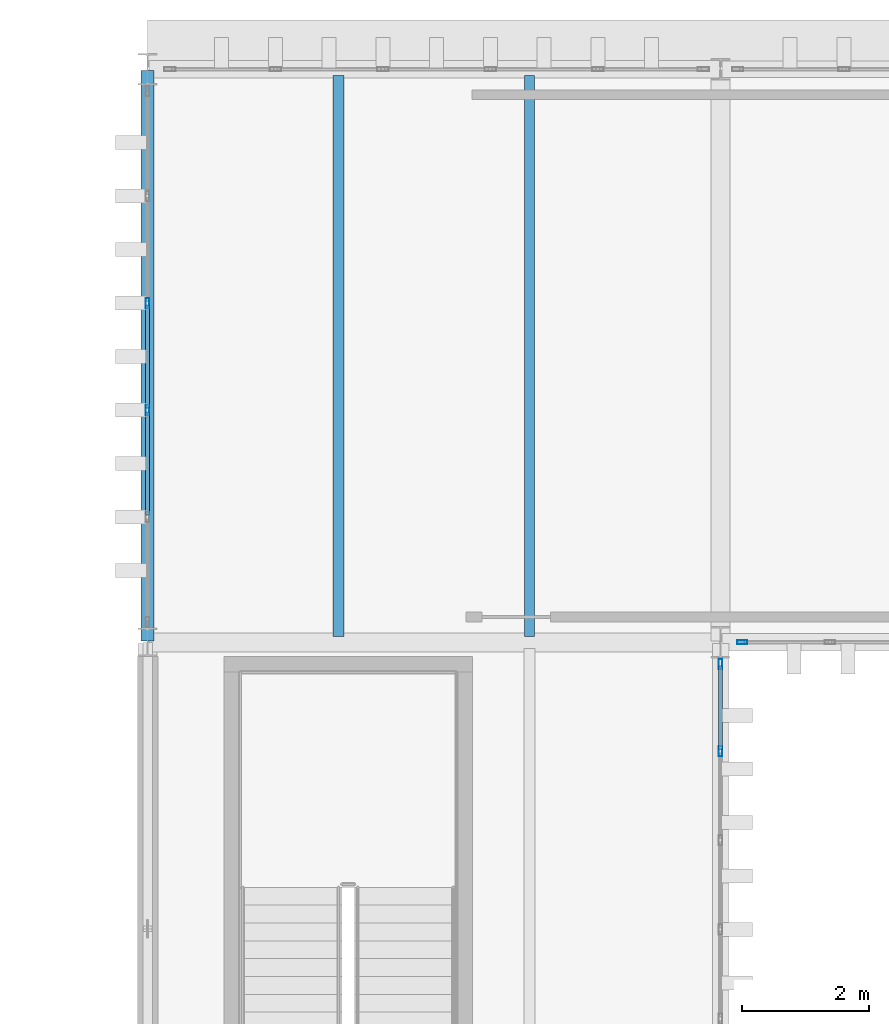
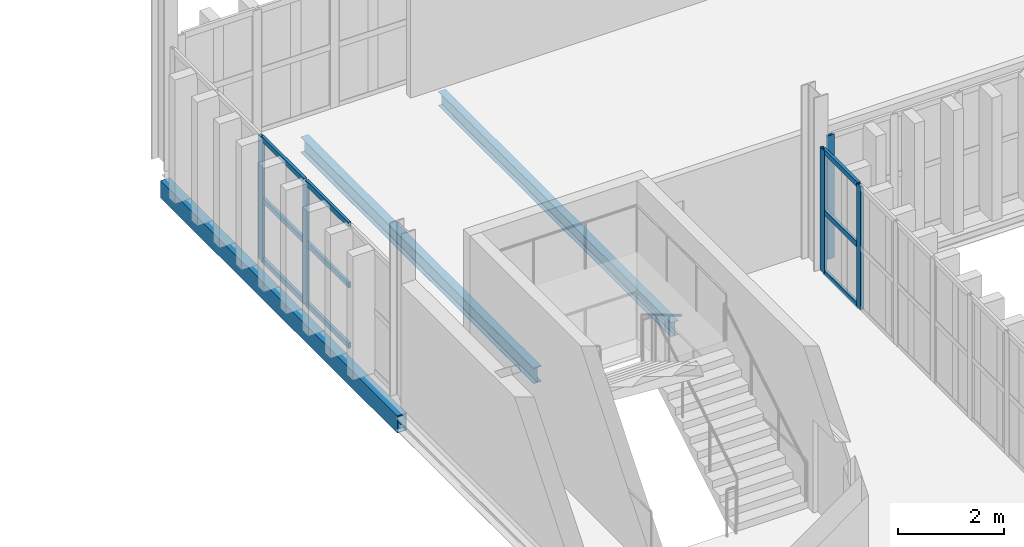
# One storey, part 56 of 102: 14 members, 3 beams, 3 elements without a shape of their own.
"""IFC4 building model written with IfcOpenShell, lengths in metres."""

from ifc_helpers import new_model, si_unit, direction, frame, origin, origin_2d, place, context, subcontext, project, spatial, hollow_rectangle, i_section, extrude, material, layer, layer_set, material_profile, profile_set, type_object, element, aggregate, save


model = new_model("IFC4")

# Units and contexts
model_context = context("Model", 3, precision=1e-05, world=origin(), true_north=direction((0.0, 1.0)))
body_context = subcontext(model_context, "Body", "Model", "MODEL_VIEW")
ifc_project = project(units=[si_unit("LENGTHUNIT", "METRE"), si_unit("AREAUNIT", "SQUARE_METRE"), si_unit("VOLUMEUNIT", "CUBIC_METRE"), si_unit("PLANEANGLEUNIT", "RADIAN"), si_unit("MASSUNIT", "GRAM", prefix="KILO")], contexts=[model_context])

# Site, building, storey
site_placement = place(None, origin())
site = spatial("IfcSite", under=ifc_project, at=site_placement, CompositionType="ELEMENT")
building_placement = place(site_placement, origin())
building = spatial("IfcBuilding", under=site, at=building_placement, Name="Barlavento Convention Centre", CompositionType="ELEMENT")
storey_placement = place(building_placement, frame((0.0, 0.0, 22.800048828125)))
storey = spatial("IfcBuildingStorey", under=building, at=storey_placement, Name="L04", CompositionType="ELEMENT", Elevation=22.800048828125)

# Curtain wall, member
ifc_material_1 = material(Name="Powder-coated aluminium and Low-E glass", Category="aluminium")
ifc_layer_1 = layer(ifc_material_1, 0.179931640625)
ifc_layer_set_1 = layer_set([ifc_layer_1], Name="ARC-CW-PATIO-B")
curtain_wall_type_1 = type_object("IfcCurtainWallType", Name="ARC-CW-PATIO-B", PredefinedType="NOTDEFINED", material=ifc_layer_set_1)
curtain_wall_1_placement = place(storey_placement, origin())
curtain_wall_1 = element("IfcCurtainWall", 1, at=curtain_wall_1_placement, inside=storey, type_object=curtain_wall_type_1, Name="L04 unitised curtain wall CW12", PredefinedType="NOTDEFINED")
ifc_material_2 = material(Name="Powder-coated aluminium", Category="aluminium")
ifc_material_profile_1 = material_profile(ifc_material_2, hollow_rectangle(XDim=0.06005859375, YDim=0.159912109375, WallThickness=0.00390625, at=origin_2d()), Name="AL-MULL 60x160x4")
ifc_profile_set_1 = profile_set([ifc_material_profile_1], Name="Powder-coated aluminium")
member_type_1 = type_object("IfcMemberType", Name="ARC-CWM-60X160", PredefinedType="MULLION", material=ifc_profile_set_1)
member_1_placement = place(storey_placement, frame((135.340087890625, 90.0, 0.0), z_axis=(0.0, 0.0, 1.0), x_axis=(0.0, 1.0, 0.0)))
member_1 = element("IfcMember", 2, at=member_1_placement, type_object=member_type_1, Name="CW12 mullion 1", PredefinedType="MULLION", context=body_context, shape_type="SweptSolid", body=[
    extrude(hollow_rectangle(XDim=0.06005859375, YDim=0.159912109375, WallThickness=0.00390625, at=origin_2d()), origin(), (0.0, 0.0, 1.0), 2.849853515625),
])
aggregate(curtain_wall_1, [member_1])

# Curtain wall, members
curtain_wall_2_placement = place(storey_placement, origin())
curtain_wall_2 = element("IfcCurtainWall", 3, at=curtain_wall_2_placement, inside=storey, type_object=curtain_wall_type_1, Name="L04 unitised curtain wall CW12", PredefinedType="NOTDEFINED")
member_2_placement = place(storey_placement, frame((135.0, 88.2890625, 0.0), z_axis=(0.0, 0.0, 1.0), x_axis=(-1.0, 0.0, 0.0)))
member_2 = element("IfcMember", 4, at=member_2_placement, type_object=member_type_1, Name="CW12 mullion 6", PredefinedType="MULLION", context=body_context, shape_type="SweptSolid", body=[
    extrude(hollow_rectangle(XDim=0.06005859375, YDim=0.159912109375, WallThickness=0.00390625, at=origin_2d()), origin(), (0.0, 0.0, 1.0), 2.849853515625),
])
member_3_placement = place(storey_placement, frame((135.0, 89.659912109375, 0.0), z_axis=(0.0, 0.0, 1.0), x_axis=(-1.0, 0.0, 0.0)))
member_3 = element("IfcMember", 5, at=member_3_placement, type_object=member_type_1, Name="CW12 mullion 7", PredefinedType="MULLION", context=body_context, shape_type="SweptSolid", body=[
    extrude(hollow_rectangle(XDim=0.06005859375, YDim=0.159912109375, WallThickness=0.00390625, at=origin_2d()), origin(), (0.0, 0.0, 1.0), 2.849853515625),
])

ifc_layer_2 = layer(ifc_material_1, 0.18505859375)
ifc_layer_set_2 = layer_set([ifc_layer_2], Name="ARC-CW-CONF-L04")
curtain_wall_type_2 = type_object("IfcCurtainWallType", Name="ARC-CW-CONF-L04", PredefinedType="NOTDEFINED", material=ifc_layer_set_2)
curtain_wall_3_placement = place(storey_placement, origin())
curtain_wall_3 = element("IfcCurtainWall", 6, at=curtain_wall_3_placement, inside=storey, type_object=curtain_wall_type_2, Name="L04 unitised curtain wall CW09", PredefinedType="NOTDEFINED")
member_4_placement = place(storey_placement, frame((126.0, 93.64697265625, 0.0), z_axis=(0.0, 0.0, 1.0), x_axis=(-1.0, 0.0, 0.0)))
member_4 = element("IfcMember", 7, at=member_4_placement, type_object=member_type_1, Name="CW09 mullion 3", PredefinedType="MULLION", context=body_context, shape_type="SweptSolid", body=[
    extrude(hollow_rectangle(XDim=0.06005859375, YDim=0.159912109375, WallThickness=0.00390625, at=origin_2d()), origin(), (0.0, 0.0, 1.0), 2.849853515625),
])
member_5_placement = place(storey_placement, frame((126.0, 95.327880859375, 0.0), z_axis=(0.0, 0.0, 1.0), x_axis=(-1.0, 0.0, 0.0)))
member_5 = element("IfcMember", 8, at=member_5_placement, type_object=member_type_1, Name="CW09 mullion 4", PredefinedType="MULLION", context=body_context, shape_type="SweptSolid", body=[
    extrude(hollow_rectangle(XDim=0.06005859375, YDim=0.159912109375, WallThickness=0.00390625, at=origin_2d()), origin(), (0.0, 0.0, 1.0), 2.849853515625),
])

# Member
ifc_material_profile_2 = material_profile(ifc_material_2, hollow_rectangle(XDim=0.06005859375, YDim=0.1201171875, WallThickness=0.00390625, at=origin_2d()), Name="AL-TRAN 60x120x4")
ifc_profile_set_2 = profile_set([ifc_material_profile_2], Name="Powder-coated aluminium")
member_type_2 = type_object("IfcMemberType", Name="ARC-CWT-60X120", PredefinedType="USERDEFINED", material=ifc_profile_set_2)
member_6_placement = place(storey_placement, frame((135.0, 88.319091796875, 0.030029296875), z_axis=(0.0, 1.0, 0.0), x_axis=(-1.0, 0.0, 0.0)))
member_6 = element("IfcMember", 9, at=member_6_placement, type_object=member_type_2, Name="CW12 transom 6.1", ObjectType="TRANSOM", PredefinedType="USERDEFINED", context=body_context, shape_type="SweptSolid", body=[
    extrude(hollow_rectangle(XDim=0.06005859375, YDim=0.1201171875, WallThickness=0.00390625, at=origin_2d()), origin(), (0.0, 0.0, 1.0), 1.310791015625),
])

member_7_placement = place(storey_placement, frame((135.0, 88.319091796875, 1.425048828125), z_axis=(0.0, 1.0, 0.0), x_axis=(-1.0, 0.0, 0.0)))
member_7 = element("IfcMember", 10, at=member_7_placement, type_object=member_type_2, Name="CW12 transom 6.2", ObjectType="TRANSOM", PredefinedType="USERDEFINED", context=body_context, shape_type="SweptSolid", body=[
    extrude(hollow_rectangle(XDim=0.06005859375, YDim=0.1201171875, WallThickness=0.00390625, at=origin_2d()), origin(), (0.0, 0.0, 1.0), 1.310791015625),
])

member_8_placement = place(storey_placement, frame((135.0, 88.319091796875, 2.820068359375), z_axis=(0.0, 1.0, 0.0), x_axis=(-1.0, 0.0, 0.0)))
member_8 = element("IfcMember", 11, at=member_8_placement, type_object=member_type_2, Name="CW12 transom 6.3", ObjectType="TRANSOM", PredefinedType="USERDEFINED", context=body_context, shape_type="SweptSolid", body=[
    extrude(hollow_rectangle(XDim=0.06005859375, YDim=0.1201171875, WallThickness=0.00390625, at=origin_2d()), origin(), (0.0, 0.0, 1.0), 1.310791015625),
])

aggregate(curtain_wall_2, [member_2, member_3, member_6, member_7, member_8])

member_9_placement = place(storey_placement, frame((126.0, 91.99609375, 0.030029296875), z_axis=(0.0, 1.0, 0.0), x_axis=(-1.0, 0.0, 0.0)))
member_9 = element("IfcMember", 12, at=member_9_placement, type_object=member_type_2, Name="CW09 transom 2.1", ObjectType="TRANSOM", PredefinedType="USERDEFINED", context=body_context, shape_type="SweptSolid", body=[
    extrude(hollow_rectangle(XDim=0.06005859375, YDim=0.1201171875, WallThickness=0.00390625, at=origin_2d()), origin(), (0.0, 0.0, 1.0), 1.620849609375),
])

member_10_placement = place(storey_placement, frame((126.0, 91.99609375, 1.425048828125), z_axis=(0.0, 1.0, 0.0), x_axis=(-1.0, 0.0, 0.0)))
member_10 = element("IfcMember", 13, at=member_10_placement, type_object=member_type_2, Name="CW09 transom 2.2", ObjectType="TRANSOM", PredefinedType="USERDEFINED", context=body_context, shape_type="SweptSolid", body=[
    extrude(hollow_rectangle(XDim=0.06005859375, YDim=0.1201171875, WallThickness=0.00390625, at=origin_2d()), origin(), (0.0, 0.0, 1.0), 1.620849609375),
])

member_11_placement = place(storey_placement, frame((126.0, 91.99609375, 2.820068359375), z_axis=(0.0, 1.0, 0.0), x_axis=(-1.0, 0.0, 0.0)))
member_11 = element("IfcMember", 14, at=member_11_placement, type_object=member_type_2, Name="CW09 transom 2.3", ObjectType="TRANSOM", PredefinedType="USERDEFINED", context=body_context, shape_type="SweptSolid", body=[
    extrude(hollow_rectangle(XDim=0.06005859375, YDim=0.1201171875, WallThickness=0.00390625, at=origin_2d()), origin(), (0.0, 0.0, 1.0), 1.620849609375),
])

member_12_placement = place(storey_placement, frame((126.0, 93.677001953125, 0.030029296875), z_axis=(0.0, 1.0, 0.0), x_axis=(-1.0, 0.0, 0.0)))
member_12 = element("IfcMember", 15, at=member_12_placement, type_object=member_type_2, Name="CW09 transom 3.1", ObjectType="TRANSOM", PredefinedType="USERDEFINED", context=body_context, shape_type="SweptSolid", body=[
    extrude(hollow_rectangle(XDim=0.06005859375, YDim=0.1201171875, WallThickness=0.00390625, at=origin_2d()), origin(), (0.0, 0.0, 1.0), 1.62109375),
])

member_13_placement = place(storey_placement, frame((126.0, 93.677001953125, 1.425048828125), z_axis=(0.0, 1.0, 0.0), x_axis=(-1.0, 0.0, 0.0)))
member_13 = element("IfcMember", 16, at=member_13_placement, type_object=member_type_2, Name="CW09 transom 3.2", ObjectType="TRANSOM", PredefinedType="USERDEFINED", context=body_context, shape_type="SweptSolid", body=[
    extrude(hollow_rectangle(XDim=0.06005859375, YDim=0.1201171875, WallThickness=0.00390625, at=origin_2d()), origin(), (0.0, 0.0, 1.0), 1.62109375),
])

member_14_placement = place(storey_placement, frame((126.0, 93.677001953125, 2.820068359375), z_axis=(0.0, 1.0, 0.0), x_axis=(-1.0, 0.0, 0.0)))
member_14 = element("IfcMember", 17, at=member_14_placement, type_object=member_type_2, Name="CW09 transom 3.3", ObjectType="TRANSOM", PredefinedType="USERDEFINED", context=body_context, shape_type="SweptSolid", body=[
    extrude(hollow_rectangle(XDim=0.06005859375, YDim=0.1201171875, WallThickness=0.00390625, at=origin_2d()), origin(), (0.0, 0.0, 1.0), 1.62109375),
])

aggregate(curtain_wall_3, [member_4, member_5, member_9, member_10, member_11, member_12, member_13, member_14])

# Beams
ifc_material_3 = material(Name="Steel S355", Category="steel")
ifc_material_profile_3 = material_profile(ifc_material_3, i_section(OverallWidth=0.159912109375, OverallDepth=0.330078125, WebThickness=0.007568359375, FlangeThickness=0.011474609375, FilletRadius=0.01806640625, at=origin_2d()), Name="IPE 330")
ifc_profile_set_3 = profile_set([ifc_material_profile_3], Name="Steel S355")
beam_type_1 = type_object("IfcBeamType", Name="STR-BM-JST-IPE330", PredefinedType="JOIST", material=ifc_profile_set_3)
beam_1_placement = place(storey_placement, frame((132.0, 90.094970703125, -0.525146484375), z_axis=(0.0, 1.0, 0.0), x_axis=(-1.0, 0.0, 0.0)))
element("IfcBeam", 18, at=beam_1_placement, inside=storey, type_object=beam_type_1, Name="L04 composite floor joist SJ06", PredefinedType="JOIST", context=body_context, shape_type="SweptSolid", body=[
    extrude(i_section(OverallWidth=0.159912109375, OverallDepth=0.330078125, WebThickness=0.007568359375, FlangeThickness=0.011474609375, FilletRadius=0.01806640625, at=origin_2d()), origin(), (0.0, 0.0, 1.0), 8.81005859375),
])
ifc_material_profile_4 = material_profile(ifc_material_3, i_section(OverallWidth=0.169921875, OverallDepth=0.360107421875, WebThickness=0.008056640625, FlangeThickness=0.0126953125, FilletRadius=0.01806640625, at=origin_2d()), Name="IPE 360")
ifc_profile_set_4 = profile_set([ifc_material_profile_4], Name="Steel S355")
beam_type_2 = type_object("IfcBeamType", Name="STR-BM-JST-IPE360", PredefinedType="JOIST", material=ifc_profile_set_4)
beam_2_placement = place(storey_placement, frame((129.0, 90.094970703125, -0.5400390625), z_axis=(0.0, 1.0, 0.0), x_axis=(-1.0, 0.0, 0.0)))
element("IfcBeam", 19, at=beam_2_placement, inside=storey, type_object=beam_type_2, Name="L04 composite floor joist SJ05", PredefinedType="JOIST", context=body_context, shape_type="SweptSolid", body=[
    extrude(i_section(OverallWidth=0.169921875, OverallDepth=0.360107421875, WebThickness=0.008056640625, FlangeThickness=0.0126953125, FilletRadius=0.01806640625, at=origin_2d()), origin(), (0.0, 0.0, 1.0), 8.81005859375),
])
ifc_material_profile_5 = material_profile(ifc_material_3, hollow_rectangle(XDim=0.199951171875, YDim=0.39990234375, WallThickness=0.01611328125, at=origin_2d()), Name="RHS 400x200x16.0")
ifc_profile_set_5 = profile_set([ifc_material_profile_5], Name="Steel S355")
beam_type_3 = type_object("IfcBeamType", Name="STR-BM-SPN-RHS400", PredefinedType="SPANDREL", material=ifc_profile_set_5)
beam_3_placement = place(storey_placement, frame((126.0, 90.02001953125, -0.56005859375), z_axis=(0.0, 1.0, 0.0), x_axis=(-1.0, 0.0, 0.0)))
element("IfcBeam", 20, at=beam_3_placement, inside=storey, type_object=beam_type_3, Name="L04 grid girder SP06", PredefinedType="SPANDREL", context=body_context, shape_type="SweptSolid", body=[
    extrude(hollow_rectangle(XDim=0.199951171875, YDim=0.39990234375, WallThickness=0.01611328125, at=origin_2d()), origin(), (0.0, 0.0, 1.0), 8.9599609375),
])

save(model, "model.ifc")
